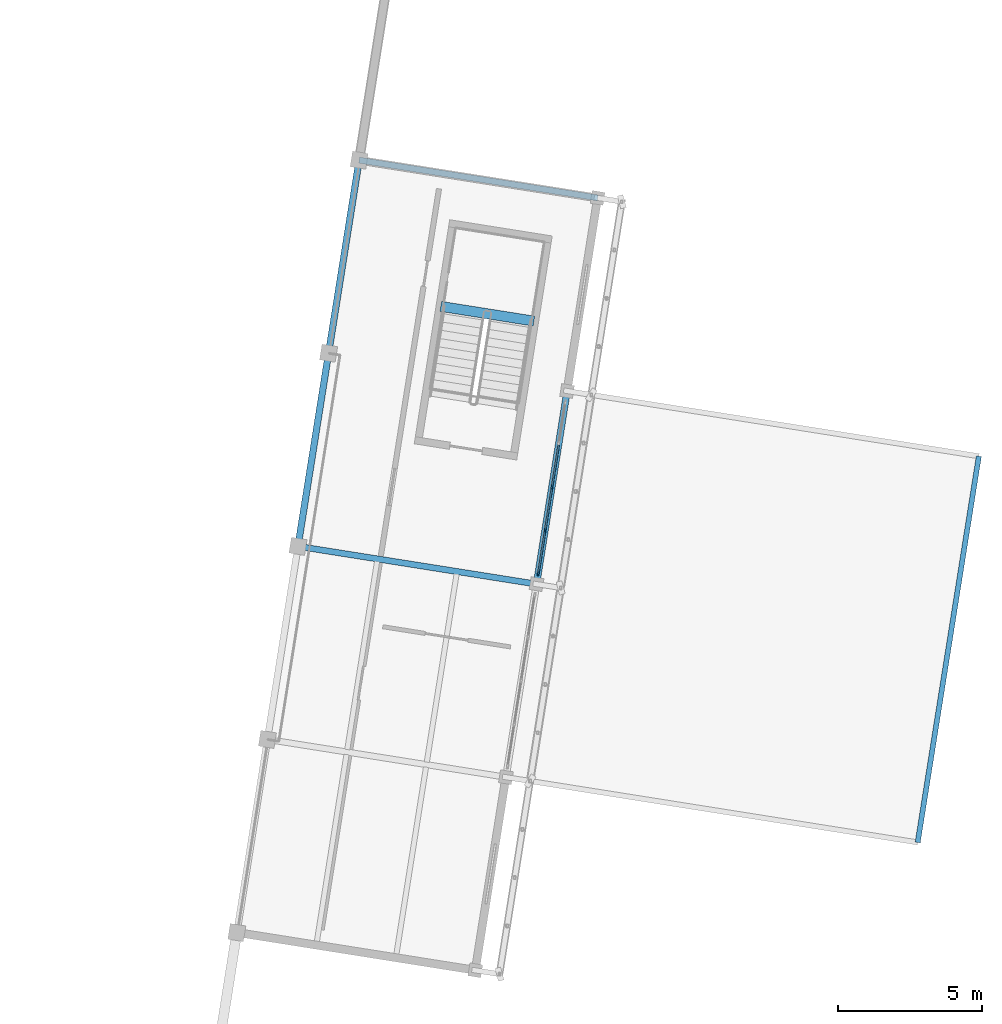
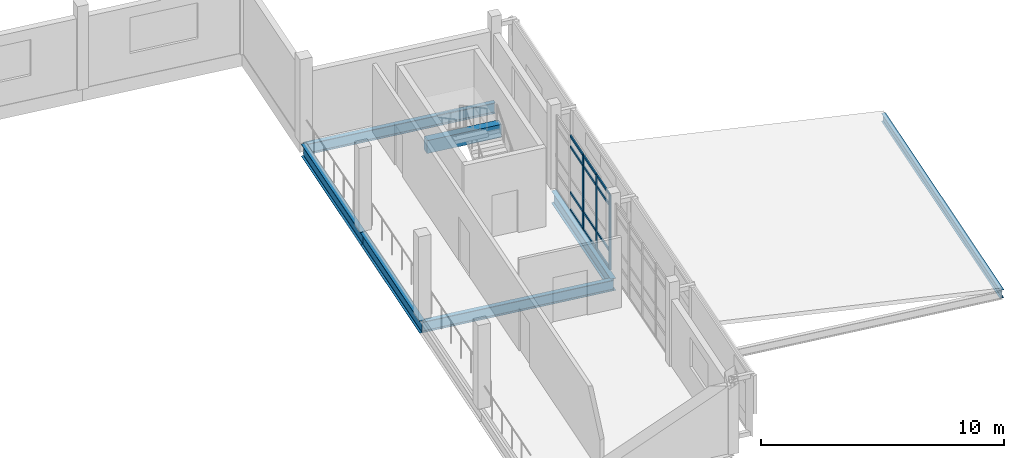
# One storey, part 83 of 137: 15 members, 7 beams, 1 element without a shape of its own.
"""IFC4 building model written with IfcOpenShell, lengths in metres."""

from ifc_helpers import new_model, si_unit, direction, frame, origin, origin_2d, place, context, subcontext, project, spatial, rectangle, i_section, extrude, material, material_profile, profile_set, type_object, element, aggregate, save


model = new_model("IFC4")

# Units and contexts
model_context = context("Model", 3, precision=1e-05, world=origin(), true_north=direction((0.0, 1.0)))
body_context = subcontext(model_context, "Body", "Model", "MODEL_VIEW")
ifc_project = project(units=[si_unit("LENGTHUNIT", "METRE"), si_unit("AREAUNIT", "SQUARE_METRE"), si_unit("VOLUMEUNIT", "CUBIC_METRE"), si_unit("PLANEANGLEUNIT", "RADIAN"), si_unit("MASSUNIT", "GRAM", prefix="KILO")], contexts=[model_context])

# Site, building, storey
site_placement = place(None, origin())
site = spatial("IfcSite", under=ifc_project, at=site_placement, CompositionType="ELEMENT")
building_placement = place(site_placement, origin())
building = spatial("IfcBuilding", under=site, at=building_placement, Name="Cinderway Yard Community Centre", CompositionType="ELEMENT")
storey_placement = place(building_placement, frame((0.0, 0.0, 4.800048828125)))
storey = spatial("IfcBuildingStorey", under=building, at=storey_placement, Name="L01", CompositionType="ELEMENT", Elevation=4.800048828125)

# Curtain wall, members
ifc_material_1 = material(Name="Aluminium 6063-T6", Category="aluminium")
curtain_wall_type = type_object("IfcCurtainWallType", Name="ENV-CW-TYPE-16", PredefinedType="USERDEFINED", material=ifc_material_1)
curtain_wall_placement = place(storey_placement, origin())
curtain_wall = element("IfcCurtainWall", 1, at=curtain_wall_placement, inside=storey, type_object=curtain_wall_type, Name="Fitness East Curtain Wall ENV-CW-L01-ST-0059", ObjectType="GLAZED CURTAIN WALL", PredefinedType="USERDEFINED")
ifc_material_profile_1 = material_profile(ifc_material_1, rectangle(XDim=0.06005859375, YDim=0.159912109375, at=origin_2d()), Name="Aluminium 6063-T6")
ifc_profile_set_1 = profile_set([ifc_material_profile_1], Name="Aluminium 6063-T6")
member_type_1 = type_object("IfcMemberType", Name="ENV-CW-MULL-150", PredefinedType="MULLION", material=ifc_profile_set_1)
member_1_placement = place(storey_placement, frame((150.881591796875, 53.83154296875, 0.0), z_axis=(0.0, 0.0, 1.0), x_axis=(-0.987691073089, 0.156417211778, 0.0)))
member_1 = element("IfcMember", 2, at=member_1_placement, type_object=member_type_1, Name="CW-16 mullion 1", PredefinedType="MULLION", context=body_context, shape_type="SweptSolid", body=[
    extrude(rectangle(XDim=0.06005859375, YDim=0.159912109375, at=origin_2d()), origin(), (0.0, 0.0, 1.0), 3.75),
])
member_2_placement = place(storey_placement, frame((151.115478515625, 55.30810546875, 0.0), z_axis=(0.0, 0.0, 1.0), x_axis=(-0.987691073089, 0.156417211778, 0.0)))
member_2 = element("IfcMember", 3, at=member_2_placement, type_object=member_type_1, Name="CW-16 mullion 2", PredefinedType="MULLION", context=body_context, shape_type="SweptSolid", body=[
    extrude(rectangle(XDim=0.06005859375, YDim=0.159912109375, at=origin_2d()), origin(), (0.0, 0.0, 1.0), 3.75),
])
member_3_placement = place(storey_placement, frame((151.35400390625, 56.81396484375, 0.0), z_axis=(0.0, 0.0, 1.0), x_axis=(-0.987691073089, 0.156417211778, 0.0)))
member_3 = element("IfcMember", 4, at=member_3_placement, type_object=member_type_1, Name="CW-16 mullion 3", PredefinedType="MULLION", context=body_context, shape_type="SweptSolid", body=[
    extrude(rectangle(XDim=0.06005859375, YDim=0.159912109375, at=origin_2d()), origin(), (0.0, 0.0, 1.0), 3.75),
])
ifc_material_profile_2 = material_profile(ifc_material_1, rectangle(XDim=0.06005859375, YDim=0.1201171875, at=origin_2d()), Name="Aluminium 6063-T6")
ifc_profile_set_2 = profile_set([ifc_material_profile_2], Name="Aluminium 6063-T6")
member_type_2 = type_object("IfcMemberType", Name="ENV-CW-TRAN-110", PredefinedType="USERDEFINED", material=ifc_profile_set_2)
member_4_placement = place(storey_placement, frame((150.886474609375, 53.861328125, 0.030029296875), z_axis=(0.156390755723, 0.987695262479, 0.0), x_axis=(-0.987695262479, 0.156390755723, 0.0)))
member_4 = element("IfcMember", 5, at=member_4_placement, type_object=member_type_2, Name="CW-16 transom 1.1", ObjectType="TRANSOM", PredefinedType="USERDEFINED", context=body_context, shape_type="SweptSolid", body=[
    extrude(rectangle(XDim=0.06005859375, YDim=0.1201171875, at=origin_2d()), origin(), (0.0, 0.0, 1.0), 1.4345703125),
])
member_5_placement = place(storey_placement, frame((150.886474609375, 53.861328125, 0.89990234375), z_axis=(0.156390755723, 0.987695262479, 0.0), x_axis=(-0.987695262479, 0.156390755723, 0.0)))
member_5 = element("IfcMember", 6, at=member_5_placement, type_object=member_type_2, Name="CW-16 transom 1.2", ObjectType="TRANSOM", PredefinedType="USERDEFINED", context=body_context, shape_type="SweptSolid", body=[
    extrude(rectangle(XDim=0.06005859375, YDim=0.1201171875, at=origin_2d()), origin(), (0.0, 0.0, 1.0), 1.4345703125),
])
member_6_placement = place(storey_placement, frame((150.886474609375, 53.861328125, 3.199951171875), z_axis=(0.156390755723, 0.987695262479, 0.0), x_axis=(-0.987695262479, 0.156390755723, 0.0)))
member_6 = element("IfcMember", 7, at=member_6_placement, type_object=member_type_2, Name="CW-16 transom 1.3", ObjectType="TRANSOM", PredefinedType="USERDEFINED", context=body_context, shape_type="SweptSolid", body=[
    extrude(rectangle(XDim=0.06005859375, YDim=0.1201171875, at=origin_2d()), origin(), (0.0, 0.0, 1.0), 1.4345703125),
])
member_7_placement = place(storey_placement, frame((150.886474609375, 53.861328125, 3.719970703125), z_axis=(0.156390755723, 0.987695262479, 0.0), x_axis=(-0.987695262479, 0.156390755723, 0.0)))
member_7 = element("IfcMember", 8, at=member_7_placement, type_object=member_type_2, Name="CW-16 transom 1.4", ObjectType="TRANSOM", PredefinedType="USERDEFINED", context=body_context, shape_type="SweptSolid", body=[
    extrude(rectangle(XDim=0.06005859375, YDim=0.1201171875, at=origin_2d()), origin(), (0.0, 0.0, 1.0), 1.4345703125),
])
member_8_placement = place(storey_placement, frame((151.1201171875, 55.337646484375, 0.030029296875), z_axis=(0.156501745439, 0.987677682078, 0.0), x_axis=(-0.987677682078, 0.156501745439, 0.0)))
member_8 = element("IfcMember", 9, at=member_8_placement, type_object=member_type_2, Name="CW-16 transom 2.1", ObjectType="TRANSOM", PredefinedType="USERDEFINED", context=body_context, shape_type="SweptSolid", body=[
    extrude(rectangle(XDim=0.06005859375, YDim=0.1201171875, at=origin_2d()), origin(), (0.0, 0.0, 1.0), 1.46484375),
])
member_9_placement = place(storey_placement, frame((151.1201171875, 55.337646484375, 0.89990234375), z_axis=(0.156501745439, 0.987677682078, 0.0), x_axis=(-0.987677682078, 0.156501745439, 0.0)))
member_9 = element("IfcMember", 10, at=member_9_placement, type_object=member_type_2, Name="CW-16 transom 2.2", ObjectType="TRANSOM", PredefinedType="USERDEFINED", context=body_context, shape_type="SweptSolid", body=[
    extrude(rectangle(XDim=0.06005859375, YDim=0.1201171875, at=origin_2d()), origin(), (0.0, 0.0, 1.0), 1.46484375),
])
member_10_placement = place(storey_placement, frame((151.1201171875, 55.337646484375, 3.199951171875), z_axis=(0.156501745439, 0.987677682078, 0.0), x_axis=(-0.987677682078, 0.156501745439, 0.0)))
member_10 = element("IfcMember", 11, at=member_10_placement, type_object=member_type_2, Name="CW-16 transom 2.3", ObjectType="TRANSOM", PredefinedType="USERDEFINED", context=body_context, shape_type="SweptSolid", body=[
    extrude(rectangle(XDim=0.06005859375, YDim=0.1201171875, at=origin_2d()), origin(), (0.0, 0.0, 1.0), 1.46484375),
])
member_11_placement = place(storey_placement, frame((151.1201171875, 55.337646484375, 3.719970703125), z_axis=(0.156501745439, 0.987677682078, 0.0), x_axis=(-0.987677682078, 0.156501745439, 0.0)))
member_11 = element("IfcMember", 12, at=member_11_placement, type_object=member_type_2, Name="CW-16 transom 2.4", ObjectType="TRANSOM", PredefinedType="USERDEFINED", context=body_context, shape_type="SweptSolid", body=[
    extrude(rectangle(XDim=0.06005859375, YDim=0.1201171875, at=origin_2d()), origin(), (0.0, 0.0, 1.0), 1.46484375),
])
member_12_placement = place(storey_placement, frame((151.358642578125, 56.84375, 0.030029296875), z_axis=(0.156527512128, 0.987673598891, 0.0), x_axis=(-0.987673598891, 0.156527512128, 0.0)))
member_12 = element("IfcMember", 13, at=member_12_placement, type_object=member_type_2, Name="CW-16 transom 3.1", ObjectType="TRANSOM", PredefinedType="USERDEFINED", context=body_context, shape_type="SweptSolid", body=[
    extrude(rectangle(XDim=0.06005859375, YDim=0.1201171875, at=origin_2d()), origin(), (0.0, 0.0, 1.0), 1.464599609375),
])
member_13_placement = place(storey_placement, frame((151.358642578125, 56.84375, 0.89990234375), z_axis=(0.156527512128, 0.987673598891, 0.0), x_axis=(-0.987673598891, 0.156527512128, 0.0)))
member_13 = element("IfcMember", 14, at=member_13_placement, type_object=member_type_2, Name="CW-16 transom 3.2", ObjectType="TRANSOM", PredefinedType="USERDEFINED", context=body_context, shape_type="SweptSolid", body=[
    extrude(rectangle(XDim=0.06005859375, YDim=0.1201171875, at=origin_2d()), origin(), (0.0, 0.0, 1.0), 1.464599609375),
])
member_14_placement = place(storey_placement, frame((151.358642578125, 56.84375, 3.199951171875), z_axis=(0.156527512128, 0.987673598891, 0.0), x_axis=(-0.987673598891, 0.156527512128, 0.0)))
member_14 = element("IfcMember", 15, at=member_14_placement, type_object=member_type_2, Name="CW-16 transom 3.3", ObjectType="TRANSOM", PredefinedType="USERDEFINED", context=body_context, shape_type="SweptSolid", body=[
    extrude(rectangle(XDim=0.06005859375, YDim=0.1201171875, at=origin_2d()), origin(), (0.0, 0.0, 1.0), 1.464599609375),
])
member_15_placement = place(storey_placement, frame((151.358642578125, 56.84375, 3.719970703125), z_axis=(0.156527512128, 0.987673598891, 0.0), x_axis=(-0.987673598891, 0.156527512128, 0.0)))
member_15 = element("IfcMember", 16, at=member_15_placement, type_object=member_type_2, Name="CW-16 transom 3.4", ObjectType="TRANSOM", PredefinedType="USERDEFINED", context=body_context, shape_type="SweptSolid", body=[
    extrude(rectangle(XDim=0.06005859375, YDim=0.1201171875, at=origin_2d()), origin(), (0.0, 0.0, 1.0), 1.464599609375),
])
aggregate(curtain_wall, [member_1, member_2, member_3, member_4, member_5, member_6, member_7, member_8, member_9, member_10, member_11, member_12, member_13, member_14, member_15])

# Beams
ifc_material_2 = material(Name="Concrete C35/45", Category="concrete")
ifc_material_profile_3 = material_profile(ifc_material_2, rectangle(XDim=0.35009765625, YDim=0.64990234375, at=origin_2d()), Name="Concrete C35/45")
ifc_profile_set_3 = profile_set([ifc_material_profile_3], Name="Concrete C35/45")
beam_type_1 = type_object("IfcBeamType", Name="STR-BM-RC350X650", PredefinedType="BEAM", material=ifc_profile_set_3)
beam_1_placement = place(storey_placement, frame((150.73193359375, 62.60302734375, 1.77490234375), z_axis=(-0.987698916676, 0.156367675679, 0.0), x_axis=(-0.156367675679, -0.987698916676, 0.0)))
element("IfcBeam", 17, at=beam_1_placement, inside=storey, type_object=beam_type_1, Name="Stair half-landing trimmer C4B L01", PredefinedType="BEAM", context=body_context, shape_type="SweptSolid", body=[
    extrude(rectangle(XDim=0.35009765625, YDim=0.64990234375, at=origin_2d()), origin(), (0.0, 0.0, 1.0), 3.2802734375),
])
ifc_material_3 = material(Name="Steel S355", Category="steel")
ifc_material_profile_4 = material_profile(ifc_material_3, i_section(OverallWidth=0.178955078125, OverallDepth=0.409912109375, WebThickness=0.0087890625, FlangeThickness=0.013427734375, FilletRadius=0.011962890625, at=origin_2d()), Name="Steel S355")
ifc_profile_set_4 = profile_set([ifc_material_profile_4], Name="Steel S355")
beam_type_2 = type_object("IfcBeamType", Name="STR-BM-W410X67", PredefinedType="JOIST", material=ifc_profile_set_4)
beam_2_placement = place(storey_placement, frame((164.080078125, 44.470947265625, -0.205078125), z_axis=(0.156388432473, 0.987695630338, 0.0), x_axis=(-0.987695630338, 0.156388432473, 0.0)))
element("IfcBeam", 18, at=beam_2_placement, inside=storey, type_object=beam_type_2, Name="V2 EAST-PORCH ring STR-BM-L01-SJ02-1031", PredefinedType="JOIST", context=body_context, shape_type="SweptSolid", body=[
    extrude(i_section(OverallWidth=0.178955078125, OverallDepth=0.409912109375, WebThickness=0.0087890625, FlangeThickness=0.013427734375, FilletRadius=0.011962890625, at=origin_2d()), origin(), (0.0, 0.0, 1.0), 13.600341796875),
])
ifc_material_profile_5 = material_profile(ifc_material_3, i_section(OverallWidth=0.2109375, OverallDepth=0.5390625, WebThickness=0.010986328125, FlangeThickness=0.017333984375, FilletRadius=0.013916015625, at=origin_2d()), Name="Steel S355")
ifc_profile_set_5 = profile_set([ifc_material_profile_5], Name="Steel S355")
beam_type_3 = type_object("IfcBeamType", Name="STR-BM-W530X109", PredefinedType="BEAM", material=ifc_profile_set_5)
beam_3_placement = place(storey_placement, frame((142.52490234375, 54.77001953125, -0.510009765625), z_axis=(0.987691462154, -0.156414755019, 0.0), x_axis=(0.156414755019, 0.987691462154, 0.0)))
element("IfcBeam", 19, at=beam_3_placement, inside=storey, type_object=beam_type_3, Name="Primary girder STR-BM-L01-SB06-0084", PredefinedType="BEAM", context=body_context, shape_type="SweptSolid", body=[
    extrude(i_section(OverallWidth=0.2109375, OverallDepth=0.5390625, WebThickness=0.010986328125, FlangeThickness=0.017333984375, FilletRadius=0.013916015625, at=origin_2d()), origin(), (0.0, 0.0, 1.0), 8.400634765625),
])
beam_4_placement = place(storey_placement, frame((144.653076171875, 68.201904296875, -0.510009765625), z_axis=(0.987687906226, -0.156437207514, 0.0), x_axis=(0.156437207514, 0.987687906226, 0.0)))
element("IfcBeam", 20, at=beam_4_placement, inside=storey, type_object=beam_type_3, Name="Primary girder STR-BM-L01-SB06-0085", PredefinedType="BEAM", context=body_context, shape_type="SweptSolid", body=[
    extrude(i_section(OverallWidth=0.2109375, OverallDepth=0.5390625, WebThickness=0.010986328125, FlangeThickness=0.017333984375, FilletRadius=0.013916015625, at=origin_2d()), origin(), (0.0, 0.0, 1.0), 8.3994140625),
])
ifc_material_profile_6 = material_profile(ifc_material_3, i_section(OverallWidth=0.22998046875, OverallDepth=0.616943359375, WebThickness=0.011962890625, FlangeThickness=0.01953125, FilletRadius=0.01611328125, at=origin_2d()), Name="Steel S355")
ifc_profile_set_6 = profile_set([ifc_material_profile_6], Name="Steel S355")
beam_type_4 = type_object("IfcBeamType", Name="STR-BM-W610X140", PredefinedType="BEAM", material=ifc_profile_set_6)
beam_5_placement = place(storey_placement, frame((142.52490234375, 54.77001953125, -0.548095703125), z_axis=(0.15650460011, 0.987677229739, 0.0), x_axis=(-0.987677229739, 0.15650460011, 0.0)))
element("IfcBeam", 21, at=beam_5_placement, inside=storey, type_object=beam_type_4, Name="Transverse girder STR-BM-L01-SB05-0088", PredefinedType="BEAM", context=body_context, shape_type="SweptSolid", body=[
    extrude(i_section(OverallWidth=0.22998046875, OverallDepth=0.616943359375, WebThickness=0.011962890625, FlangeThickness=0.01953125, FilletRadius=0.01611328125, at=origin_2d()), origin(), (0.0, 0.0, 1.0), 6.7998046875),
])
beam_6_placement = place(storey_placement, frame((143.589111328125, 61.486083984375, -0.548095703125), z_axis=(0.156475124325, 0.987681899939, 0.0), x_axis=(-0.987681899939, 0.156475124325, 0.0)))
element("IfcBeam", 22, at=beam_6_placement, inside=storey, type_object=beam_type_4, Name="Transverse girder STR-BM-L01-SB05-0089", PredefinedType="BEAM", context=body_context, shape_type="SweptSolid", body=[
    extrude(i_section(OverallWidth=0.22998046875, OverallDepth=0.616943359375, WebThickness=0.011962890625, FlangeThickness=0.01953125, FilletRadius=0.01611328125, at=origin_2d()), origin(), (0.0, 0.0, 1.0), 6.799560546875),
])
beam_7_placement = place(storey_placement, frame((150.822021484375, 53.4560546875, -0.548095703125), z_axis=(0.156469575446, 0.987682779013, 0.0), x_axis=(-0.987682779013, 0.156469575446, 0.0)))
element("IfcBeam", 23, at=beam_7_placement, inside=storey, type_object=beam_type_4, Name="Transverse girder STR-BM-L01-SB05-0092", PredefinedType="BEAM", context=body_context, shape_type="SweptSolid", body=[
    extrude(i_section(OverallWidth=0.22998046875, OverallDepth=0.616943359375, WebThickness=0.011962890625, FlangeThickness=0.01953125, FilletRadius=0.01611328125, at=origin_2d()), origin(), (0.0, 0.0, 1.0), 6.7998046875),
])

save(model, "model.ifc")
